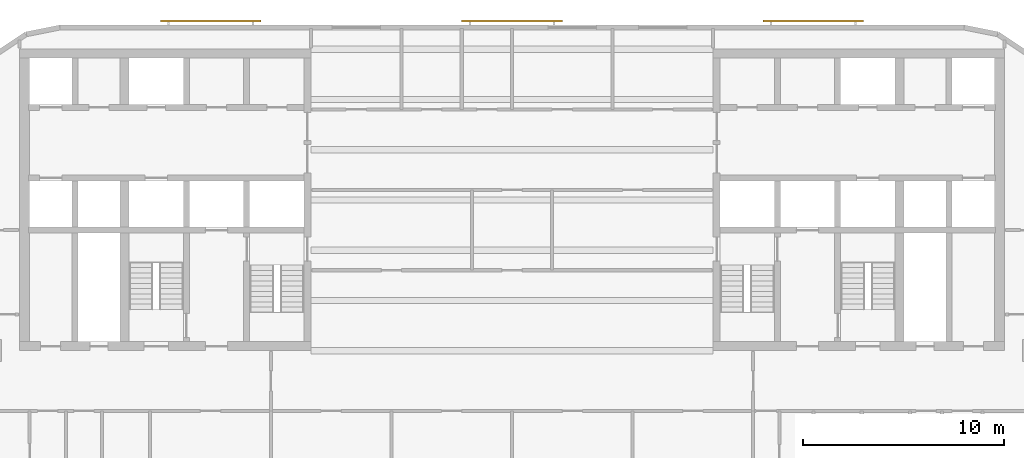
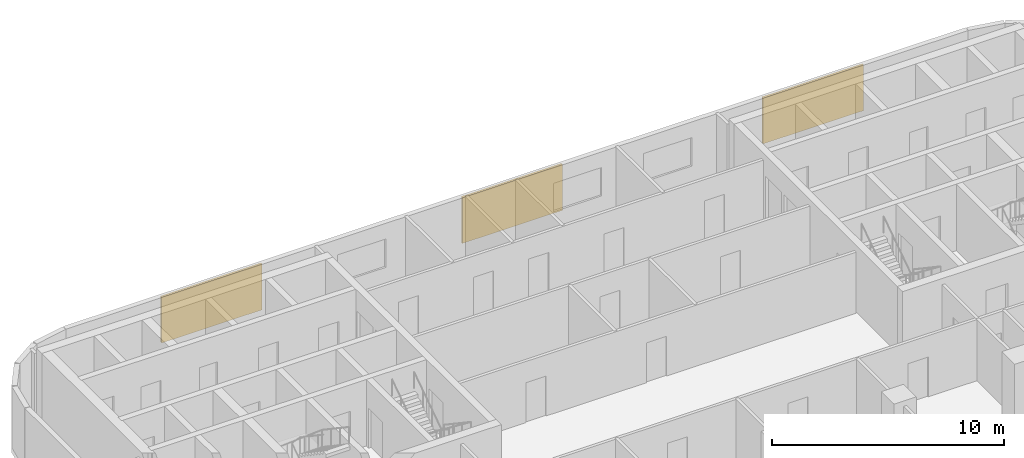
# One storey, part 10 of 11: 3 shading devices.
"""IFC4 building model written with IfcOpenShell, lengths in metres."""

from ifc_helpers import new_model, si_unit, direction, frame, origin, origin_2d, place, context, subcontext, project, spatial, rectangle, extrude, material, layer, layer_set, type_object, element, save


model = new_model("IFC4")

# Units and contexts
model_context = context("Model", 3, precision=1e-05, world=origin(), true_north=direction((0.0, 1.0)))
body_context = subcontext(model_context, "Body", "Model", "MODEL_VIEW")
ifc_project = project(units=[si_unit("LENGTHUNIT", "METRE"), si_unit("AREAUNIT", "SQUARE_METRE"), si_unit("VOLUMEUNIT", "CUBIC_METRE"), si_unit("PLANEANGLEUNIT", "RADIAN"), si_unit("MASSUNIT", "GRAM", prefix="KILO")], contexts=[model_context])

# Site, building, storey
site_placement = place(None, origin())
site = spatial("IfcSite", under=ifc_project, at=site_placement, CompositionType="ELEMENT")
building_placement = place(site_placement, origin())
building = spatial("IfcBuilding", under=site, at=building_placement, Name="Torana Hotel and Residences", CompositionType="ELEMENT")
storey_placement = place(building_placement, frame((0.0, 0.0, 194.10009765625)))
storey = spatial("IfcBuildingStorey", under=building, at=storey_placement, Name="L50", CompositionType="ELEMENT", Elevation=194.10009765625)

# Shading devices
ifc_material = material(Name="Concrete C40/50 precast", Category="concrete")
ifc_layer = layer(ifc_material, 0.10009765625)
ifc_layer_set = layer_set([ifc_layer], Name="SC1 PERFORATED BLOCK SCREEN PANEL 100")
shading_device_type = type_object("IfcShadingDeviceType", Name="SC1 PERFORATED BLOCK SCREEN PANEL 100", PredefinedType="USERDEFINED", material=ifc_layer_set)
for number, where, z_axis, x_axis, name in (
    (1, (14.983642578125, 1.39990234375, 0.5), (0.0, 0.0, 1.0), (-1.0, 0.0, 0.0), "Perforated block screen L50"),
    (2, (0.0, 1.39990234375, 0.5), (0.0, 0.0, 1.0), (-1.0, 0.0, 0.0), "Perforated block screen L50"),
    (3, (-14.983642578125, 1.39990234375, 0.5), (0.0, 0.0, 1.0), (-1.0, 0.0, 0.0), "Perforated block screen L50"),
):
    element("IfcShadingDevice", number, at=place(storey_placement, frame(where, z_axis=z_axis, x_axis=x_axis)), inside=storey, type_object=shading_device_type, Name=name, ObjectType="SCREEN", PredefinedType="USERDEFINED", context=body_context, shape_type="SweptSolid", body=[
        extrude(rectangle(XDim=5.0, YDim=0.10009765625, at=origin_2d()), origin(), (0.0, 0.0, 1.0), 2.419921875),
    ])

save(model, "model.ifc")
